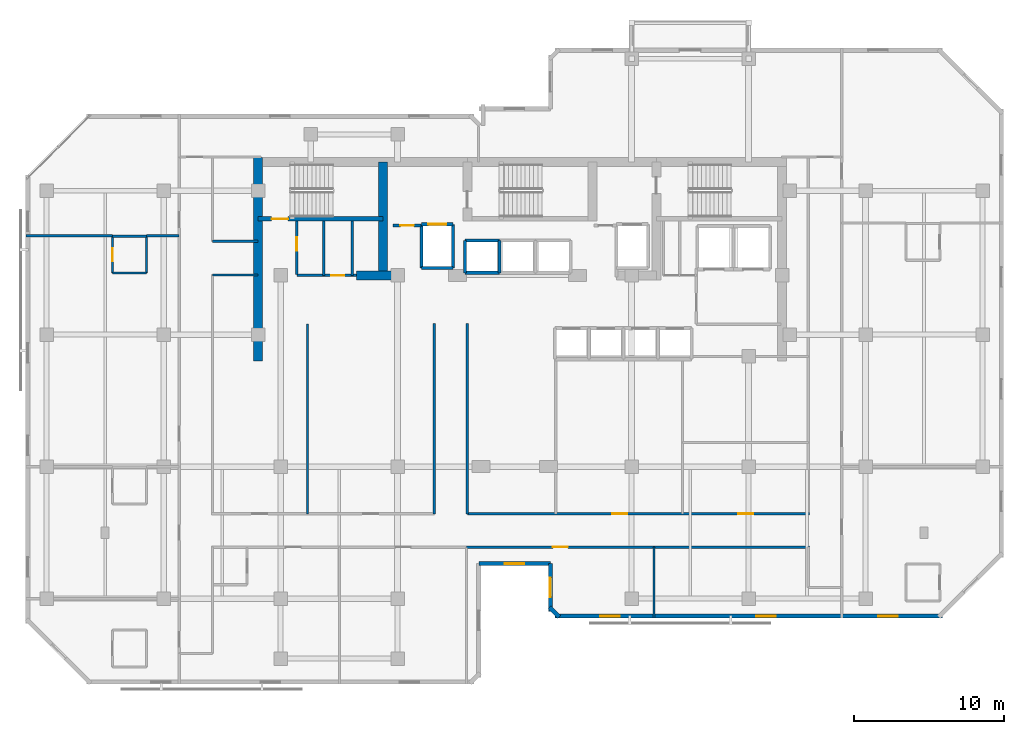
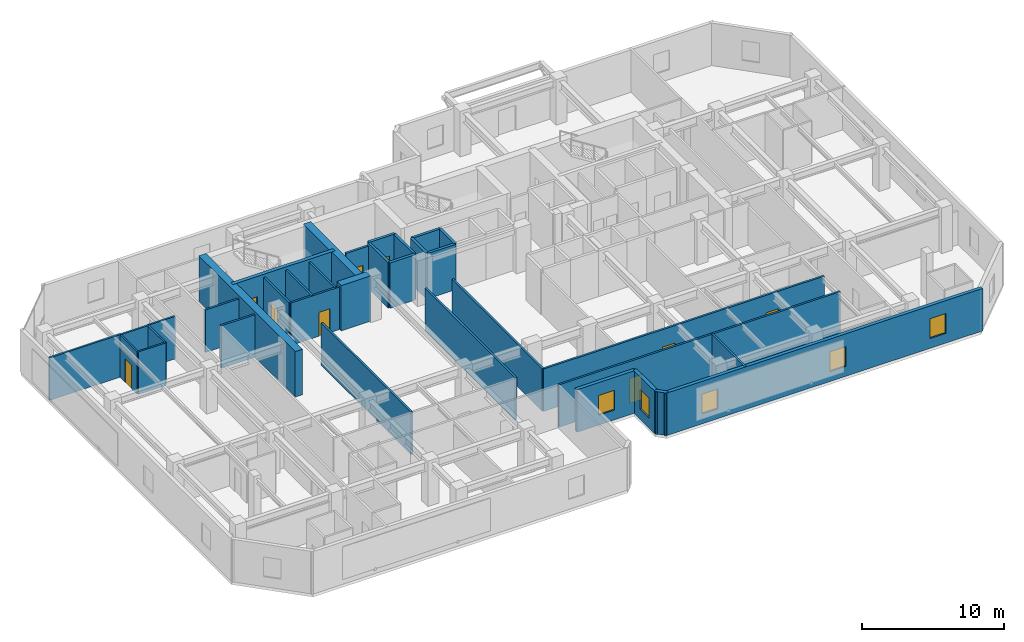
# One storey, part 5 of 10: 35 walls, 9 doors, 5 windows, 14 openings.
"""IFC4 building model written with IfcOpenShell, lengths in metres."""

from ifc_helpers import new_model, si_unit, direction, frame, frame_2d, origin, place, context, subcontext, project, spatial, rectangle, extrude, material, layer, layer_set, type_object, element, fill, save


model = new_model("IFC4")

# Units and contexts
model_context = context("Model", 3, precision=1e-05, world=origin(), true_north=direction((0.0, 1.0)))
body_context = subcontext(model_context, "Body", "Model", "MODEL_VIEW")
ifc_project = project(units=[si_unit("LENGTHUNIT", "METRE"), si_unit("AREAUNIT", "SQUARE_METRE"), si_unit("VOLUMEUNIT", "CUBIC_METRE"), si_unit("PLANEANGLEUNIT", "RADIAN"), si_unit("MASSUNIT", "GRAM", prefix="KILO")], contexts=[model_context])

# Site, building, storey
site_placement = place(None, origin())
site = spatial("IfcSite", under=ifc_project, at=site_placement, CompositionType="ELEMENT")
building_placement = place(site_placement, origin())
building = spatial("IfcBuilding", under=site, at=building_placement, Name="Kestravale Grand Hotel", CompositionType="ELEMENT")
storey_placement = place(building_placement, frame((0.0, 0.0, 220.199951171875)))
storey = spatial("IfcBuildingStorey", under=building, at=storey_placement, Name="L55", CompositionType="ELEMENT", Elevation=220.199951171875)

# Walls
ifc_material_1 = material(Name="Concrete f'c 50 MPa", Category="concrete")
ifc_layer_1 = layer(ifc_material_1, 0.60009765625)
ifc_layer_set_1 = layer_set([ifc_layer_1], Name="EW-CORE-600")
wall_type_1 = type_object("IfcWallType", Name="EW-CORE-600", PredefinedType="SHEAR", material=ifc_layer_set_1)
wall_1_placement = place(storey_placement, frame((21.89990234375, 27.050048828125, 0.0), z_axis=(0.0, 0.0, 1.0), x_axis=(0.0, 1.0, 0.0)))
element("IfcWall", 1, at=wall_1_placement, inside=storey, type_object=wall_type_1, Name="L55 core shear wall W1", PredefinedType="SHEAR", context=body_context, shape_type="SweptSolid", body=[
    extrude(rectangle(XDim=13.570068359375, YDim=0.60009765625, at=frame_2d((6.78515625, 0.0))), origin(), (0.0, 0.0, 1.0), 3.900146484375),
])
wall_2_placement = place(storey_placement, frame((28.449951171875, 32.75, 0.0), z_axis=(0.0, 0.0, 1.0), x_axis=(1.0, 0.0, 0.0)))
element("IfcWall", 2, at=wall_2_placement, inside=storey, type_object=wall_type_1, Name="L55 core shear wall S1", PredefinedType="SHEAR", context=body_context, shape_type="SweptSolid", body=[
    extrude(rectangle(XDim=2.400146484375, YDim=0.60009765625, at=frame_2d((1.2001953125, 0.0))), origin(), (0.0, 0.0, 1.0), 3.900146484375),
])
wall_3_placement = place(storey_placement, frame((30.219970703125, 33.050048828125, 0.0), z_axis=(0.0, 0.0, 1.0), x_axis=(0.0, 1.0, 0.0)))
element("IfcWall", 3, at=wall_3_placement, inside=storey, type_object=wall_type_1, Name="L55 core shear wall X1", PredefinedType="SHEAR", context=body_context, shape_type="SweptSolid", body=[
    extrude(rectangle(XDim=7.27001953125, YDim=0.60009765625, at=frame_2d((3.635009765625, 0.0))), origin(), (0.0, 0.0, 1.0), 3.900146484375),
])

# Wall, opening, window
ifc_material_2 = material(Name="Precast concrete f'c 45 MPa", Category="concrete")
ifc_layer_2 = layer(ifc_material_2, 0.280029296875)
ifc_layer_set_2 = layer_set([ifc_layer_2], Name="EW-PREC-280")
wall_type_2 = type_object("IfcWallType", Name="EW-PREC-280", PredefinedType="SOLIDWALL", material=ifc_layer_set_2)
wall_4_placement = place(storey_placement, frame((36.610107421875, 13.5400390625, 0.0), z_axis=(0.0, 0.0, 1.0), x_axis=(1.0, 0.0, 0.0)))
wall_4 = element("IfcWall", 4, at=wall_4_placement, inside=storey, type_object=wall_type_2, Name="L55 fluted precast facade wall 4", PredefinedType="SOLIDWALL", context=body_context, shape_type="SweptSolid", body=[
    extrude(rectangle(XDim=4.77978515625, YDim=0.280029296875, at=frame_2d((2.389892578125, 0.0))), origin(), (0.0, 0.0, 1.0), 3.650146484375),
])
opening_1_placement = place(wall_4_placement, frame((1.739990234375, 0.0, 0.85009765625)))
opening_1 = element("IfcOpeningElement", 5, at=opening_1_placement, cuts=wall_4, Name="Opening W-GUEST-1300", PredefinedType="OPENING", context=body_context, shape_type="SweptSolid", body=[
    extrude(rectangle(XDim=1.300048828125, YDim=1.699951171875, at=frame_2d((0.64990234375, 0.85009765625))), frame((0.0, 0.14990234375, 0.0), z_axis=(0.0, -1.0, 0.0), x_axis=(1.0, 0.0, 0.0)), (0.0, 0.0, 1.0), 0.300048828125),
])
ifc_material_3 = material(Name="Insulated low-E double glazing in aluminium frame", Category="aluminium")
window_type = type_object("IfcWindowType", Name="W-GUEST-1300", PartitioningType="SINGLE_PANEL", PredefinedType="WINDOW", material=ifc_material_3)
window_1_placement = place(opening_1_placement, origin())
window_1 = element("IfcWindow", 6, at=window_1_placement, inside=storey, type_object=window_type, Name="L55 exterior window 4.1", OverallHeight=1.699951171875, OverallWidth=1.300048828125, PartitioningType="SINGLE_PANEL", PredefinedType="WINDOW", context=body_context, shape_type="SweptSolid", body=[
    extrude(rectangle(XDim=1.300048828125, YDim=1.699951171875, at=frame_2d((0.64990234375, 0.85009765625))), frame((0.0, 0.030029296875, 0.0), z_axis=(0.0, -1.0, 0.0), x_axis=(1.0, 0.0, 0.0)), (0.0, 0.0, 1.0), 0.06005859375),
])
fill(opening_1, window_1)

wall_5_placement = place(storey_placement, frame((41.389892578125, 13.5400390625, 0.0), z_axis=(0.0, 0.0, 1.0), x_axis=(0.0, -1.0, 0.0)))
wall_5 = element("IfcWall", 7, at=wall_5_placement, inside=storey, type_object=wall_type_2, Name="L55 fluted precast facade wall 5", PredefinedType="SOLIDWALL", context=body_context, shape_type="SweptSolid", body=[
    extrude(rectangle(XDim=3.179931640625, YDim=0.280029296875, at=frame_2d((1.58984375, 0.0))), origin(), (0.0, 0.0, 1.0), 3.650146484375),
])
opening_2_placement = place(wall_5_placement, frame((0.93994140625, 0.0, 0.85009765625)))
opening_2 = element("IfcOpeningElement", 8, at=opening_2_placement, cuts=wall_5, Name="Opening W-GUEST-1300", PredefinedType="OPENING", context=body_context, shape_type="SweptSolid", body=[
    extrude(rectangle(XDim=1.300048828125, YDim=1.699951171875, at=frame_2d((0.64990234375, 0.85009765625))), frame((0.0, 0.14990234375, 0.0), z_axis=(0.0, -1.0, 0.0), x_axis=(1.0, 0.0, 0.0)), (0.0, 0.0, 1.0), 0.300048828125),
])
window_2_placement = place(opening_2_placement, origin())
window_2 = element("IfcWindow", 9, at=window_2_placement, inside=storey, type_object=window_type, Name="L55 exterior window 5.1", OverallHeight=1.699951171875, OverallWidth=1.300048828125, PartitioningType="SINGLE_PANEL", PredefinedType="WINDOW", context=body_context, shape_type="SweptSolid", body=[
    extrude(rectangle(XDim=1.300048828125, YDim=1.699951171875, at=frame_2d((0.64990234375, 0.85009765625))), frame((0.0, 0.030029296875, 0.0), z_axis=(0.0, -1.0, 0.0), x_axis=(1.0, 0.0, 0.0)), (0.0, 0.0, 1.0), 0.06005859375),
])
fill(opening_2, window_2)

# Wall
wall_6_placement = place(storey_placement, frame((41.32080078125, 10.627197265625, 0.0), z_axis=(0.0, 0.0, 1.0), x_axis=(0.707106781187, -0.707106781187, 0.0)))
element("IfcWall", 10, at=wall_6_placement, inside=storey, type_object=wall_type_2, Name="L55 fluted precast facade wall 6", PredefinedType="SOLIDWALL", context=body_context, shape_type="SweptSolid", body=[
    extrude(rectangle(XDim=0.928466796875, YDim=0.280029296875, at=frame_2d((0.46435546875, 0.0))), origin(), (0.0, 0.0, 1.0), 3.650146484375),
])

# Wall, openings, windows
wall_7_placement = place(storey_placement, frame((41.7099609375, 10.0400390625, 0.0), z_axis=(0.0, 0.0, 1.0), x_axis=(1.0, 0.0, 0.0)))
wall_7 = element("IfcWall", 11, at=wall_7_placement, inside=storey, type_object=wall_type_2, Name="L55 fluted precast facade wall 7", PredefinedType="SOLIDWALL", context=body_context, shape_type="SweptSolid", body=[
    extrude(rectangle(XDim=25.830078125, YDim=0.280029296875, at=frame_2d((12.9150390625, 0.0))), origin(), (0.0, 0.0, 1.0), 3.650146484375),
])
opening_3_placement = place(wall_7_placement, frame((3.0048828125, 0.0, 0.85009765625)))
opening_3 = element("IfcOpeningElement", 12, at=opening_3_placement, cuts=wall_7, Name="Opening W-GUEST-1300", PredefinedType="OPENING", context=body_context, shape_type="SweptSolid", body=[
    extrude(rectangle(XDim=1.300048828125, YDim=1.699951171875, at=frame_2d((0.64990234375, 0.85009765625))), frame((0.0, 0.14990234375, 0.0), z_axis=(0.0, -1.0, 0.0), x_axis=(1.0, 0.0, 0.0)), (0.0, 0.0, 1.0), 0.300048828125),
])
opening_4_placement = place(wall_7_placement, frame((13.4150390625, 0.0, 0.85009765625)))
opening_4 = element("IfcOpeningElement", 13, at=opening_4_placement, cuts=wall_7, Name="Opening W-GUEST-1300", PredefinedType="OPENING", context=body_context, shape_type="SweptSolid", body=[
    extrude(rectangle(XDim=1.300048828125, YDim=1.699951171875, at=frame_2d((0.64990234375, 0.85009765625))), frame((0.0, 0.14990234375, 0.0), z_axis=(0.0, -1.0, 0.0), x_axis=(1.0, 0.0, 0.0)), (0.0, 0.0, 1.0), 0.300048828125),
])
opening_5_placement = place(wall_7_placement, frame((21.52490234375, 0.0, 0.85009765625)))
opening_5 = element("IfcOpeningElement", 14, at=opening_5_placement, cuts=wall_7, Name="Opening W-GUEST-1300", PredefinedType="OPENING", context=body_context, shape_type="SweptSolid", body=[
    extrude(rectangle(XDim=1.300048828125, YDim=1.699951171875, at=frame_2d((0.64990234375, 0.85009765625))), frame((0.0, 0.14990234375, 0.0), z_axis=(0.0, -1.0, 0.0), x_axis=(1.0, 0.0, 0.0)), (0.0, 0.0, 1.0), 0.300048828125),
])
window_3_placement = place(opening_3_placement, origin())
window_3 = element("IfcWindow", 15, at=window_3_placement, inside=storey, type_object=window_type, Name="L55 exterior window 7.1", OverallHeight=1.699951171875, OverallWidth=1.300048828125, PartitioningType="SINGLE_PANEL", PredefinedType="WINDOW", context=body_context, shape_type="SweptSolid", body=[
    extrude(rectangle(XDim=1.300048828125, YDim=1.699951171875, at=frame_2d((0.64990234375, 0.85009765625))), frame((0.0, 0.030029296875, 0.0), z_axis=(0.0, -1.0, 0.0), x_axis=(1.0, 0.0, 0.0)), (0.0, 0.0, 1.0), 0.06005859375),
])
fill(opening_3, window_3)
window_4_placement = place(opening_4_placement, origin())
window_4 = element("IfcWindow", 16, at=window_4_placement, inside=storey, type_object=window_type, Name="L55 exterior window 7.2", OverallHeight=1.699951171875, OverallWidth=1.300048828125, PartitioningType="SINGLE_PANEL", PredefinedType="WINDOW", context=body_context, shape_type="SweptSolid", body=[
    extrude(rectangle(XDim=1.300048828125, YDim=1.699951171875, at=frame_2d((0.64990234375, 0.85009765625))), frame((0.0, 0.030029296875, 0.0), z_axis=(0.0, -1.0, 0.0), x_axis=(1.0, 0.0, 0.0)), (0.0, 0.0, 1.0), 0.06005859375),
])
fill(opening_4, window_4)
window_5_placement = place(opening_5_placement, origin())
window_5 = element("IfcWindow", 17, at=window_5_placement, inside=storey, type_object=window_type, Name="L55 exterior window 7.3", OverallHeight=1.699951171875, OverallWidth=1.300048828125, PartitioningType="SINGLE_PANEL", PredefinedType="WINDOW", context=body_context, shape_type="SweptSolid", body=[
    extrude(rectangle(XDim=1.300048828125, YDim=1.699951171875, at=frame_2d((0.64990234375, 0.85009765625))), frame((0.0, 0.030029296875, 0.0), z_axis=(0.0, -1.0, 0.0), x_axis=(1.0, 0.0, 0.0)), (0.0, 0.0, 1.0), 0.06005859375),
])
fill(opening_5, window_5)

# Wall, opening, door
ifc_material_4 = material(Name="Concrete f'c 45 MPa", Category="concrete")
ifc_layer_3 = layer(ifc_material_4, 0.300048828125)
ifc_layer_set_3 = layer_set([ifc_layer_3], Name="EW-STAIR-300")
wall_type_3 = type_object("IfcWallType", Name="EW-STAIR-300", PredefinedType="SHEAR", material=ifc_layer_set_3)
wall_8_placement = place(storey_placement, frame((21.89990234375, 36.52001953125, 0.0), z_axis=(0.0, 0.0, 1.0), x_axis=(1.0, 0.0, 0.0)))
wall_8 = element("IfcWall", 18, at=wall_8_placement, inside=storey, type_object=wall_type_3, Name="L55 stair enclosure shear wall SST1", PredefinedType="SHEAR", context=body_context, shape_type="SweptSolid", body=[
    extrude(rectangle(XDim=8.320068359375, YDim=0.300048828125, at=frame_2d((4.16015625, 0.0))), origin(), (0.0, 0.0, 1.0), 3.900146484375),
])
opening_6_placement = place(wall_8_placement, frame((0.89990234375, 0.0, 0.0)))
opening_6 = element("IfcOpeningElement", 19, at=opening_6_placement, cuts=wall_8, Name="Opening D-ST-1100", PredefinedType="OPENING", context=body_context, shape_type="SweptSolid", body=[
    extrude(rectangle(XDim=1.10009765625, YDim=2.14990234375, at=frame_2d((0.550048828125, 1.074951171875))), frame((0.0, 0.159912109375, 0.0), z_axis=(0.0, -1.0, 0.0), x_axis=(1.0, 0.0, 0.0)), (0.0, 0.0, 1.0), 0.320068359375),
])
ifc_material_5 = material(Name="Galvanised 90-minute fire-rated steel stair door", Category="steel")
door_type_1 = type_object("IfcDoorType", Name="D-ST-1100", OperationType="NOTDEFINED", PredefinedType="DOOR", material=ifc_material_5)
door_1_placement = place(opening_6_placement, origin())
door_1 = element("IfcDoor", 20, at=door_1_placement, inside=storey, type_object=door_type_1, Name="L55 Stair ST-1 fire door", OperationType="SINGLE_SWING_RIGHT", OverallHeight=2.14990234375, OverallWidth=1.10009765625, PredefinedType="DOOR", context=body_context, shape_type="SweptSolid", body=[
    extrude(rectangle(XDim=1.10009765625, YDim=2.14990234375, at=frame_2d((0.550048828125, 1.074951171875))), frame((0.0, 0.02490234375, 0.0), z_axis=(0.0, -1.0, 0.0), x_axis=(1.0, 0.0, 0.0)), (0.0, 0.0, 1.0), 0.050048828125),
])
fill(opening_6, door_1)

ifc_material_6 = material(Name="Acoustic fire-rated gypsum board partition", Category="other")
ifc_layer_4 = layer(ifc_material_6, 0.159912109375)
ifc_layer_set_4 = layer_set([ifc_layer_4], Name="IW-CORR-160")
wall_type_4 = type_object("IfcWallType", Name="IW-CORR-160", PredefinedType="PARTITIONING", material=ifc_layer_set_4)
wall_9_placement = place(storey_placement, frame((24.47998046875, 32.800048828125, 0.0), z_axis=(0.0, 0.0, 1.0), x_axis=(0.0, 1.0, 0.0)))
wall_9 = element("IfcWall", 21, at=wall_9_placement, inside=storey, type_object=wall_type_4, Name="L55 west core vestibule wall", PredefinedType="PARTITIONING", context=body_context, shape_type="SweptSolid", body=[
    extrude(rectangle(XDim=3.570068359375, YDim=0.159912109375, at=frame_2d((1.78515625, 0.0))), origin(), (0.0, 0.0, 1.0), 3.650146484375),
])
opening_7_placement = place(wall_9_placement, frame((1.603515625, 0.0, 0.0)))
opening_7 = element("IfcOpeningElement", 22, at=opening_7_placement, cuts=wall_9, Name="Opening D-SH-900", PredefinedType="OPENING", context=body_context, shape_type="SweptSolid", body=[
    extrude(rectangle(XDim=0.89990234375, YDim=2.10009765625, at=frame_2d((0.449951171875, 1.050048828125))), frame((0.0, 0.08984375, 0.0), z_axis=(0.0, -1.0, 0.0), x_axis=(1.0, 0.0, 0.0)), (0.0, 0.0, 1.0), 0.179931640625),
])
ifc_material_7 = material(Name="Galvanised 90-minute shaft and service fire door", Category="steel")
door_type_2 = type_object("IfcDoorType", Name="D-SH-900", OperationType="NOTDEFINED", PredefinedType="DOOR", material=ifc_material_7)
door_2_placement = place(opening_7_placement, origin())
door_2 = element("IfcDoor", 23, at=door_2_placement, inside=storey, type_object=door_type_2, Name="D-L55-HK", OperationType="SINGLE_SWING_RIGHT", OverallHeight=2.10009765625, OverallWidth=0.89990234375, PredefinedType="DOOR", context=body_context, shape_type="SweptSolid", body=[
    extrude(rectangle(XDim=0.89990234375, YDim=2.10009765625, at=frame_2d((0.449951171875, 1.050048828125))), frame((0.0, 0.02490234375, 0.0), z_axis=(0.0, -1.0, 0.0), x_axis=(1.0, 0.0, 0.0)), (0.0, 0.0, 1.0), 0.050048828125),
])
fill(opening_7, door_2)

wall_10_placement = place(storey_placement, frame((24.47998046875, 32.75, 0.0), z_axis=(0.0, 0.0, 1.0), x_axis=(1.0, 0.0, 0.0)))
wall_10 = element("IfcWall", 24, at=wall_10_placement, inside=storey, type_object=wall_type_4, Name="W-L55-CWS", PredefinedType="PARTITIONING", context=body_context, shape_type="SweptSolid", body=[
    extrude(rectangle(XDim=3.969970703125, YDim=0.159912109375, at=frame_2d((1.98486328125, 0.0))), origin(), (0.0, 0.0, 1.0), 3.650146484375),
])
opening_8_placement = place(wall_10_placement, frame((2.31005859375, 0.0, 0.0)))
opening_8 = element("IfcOpeningElement", 25, at=opening_8_placement, cuts=wall_10, Name="Opening D-SH-860", PredefinedType="OPENING", context=body_context, shape_type="SweptSolid", body=[
    extrude(rectangle(XDim=0.860107421875, YDim=2.050048828125, at=frame_2d((0.43017578125, 1.02490234375))), frame((0.0, 0.08984375, 0.0), z_axis=(0.0, -1.0, 0.0), x_axis=(1.0, 0.0, 0.0)), (0.0, 0.0, 1.0), 0.179931640625),
])
ifc_material_8 = material(Name="Galvanised 90-minute riser fire door", Category="steel")
door_type_3 = type_object("IfcDoorType", Name="D-SH-860", OperationType="NOTDEFINED", PredefinedType="DOOR", material=ifc_material_8)
door_3_placement = place(opening_8_placement, origin())
door_3 = element("IfcDoor", 26, at=door_3_placement, inside=storey, type_object=door_type_3, Name="D-L55-IDF", OperationType="SINGLE_SWING_RIGHT", OverallHeight=2.050048828125, OverallWidth=0.860107421875, PredefinedType="DOOR", context=body_context, shape_type="SweptSolid", body=[
    extrude(rectangle(XDim=0.860107421875, YDim=2.050048828125, at=frame_2d((0.43017578125, 1.02490234375))), frame((0.0, 0.02490234375, 0.0), z_axis=(0.0, -1.0, 0.0), x_axis=(1.0, 0.0, 0.0)), (0.0, 0.0, 1.0), 0.050048828125),
])
fill(opening_8, door_3)

# Wall, openings, doors
wall_11_placement = place(storey_placement, frame((35.85009765625, 16.860107421875, 0.0), z_axis=(0.0, 0.0, 1.0), x_axis=(1.0, 0.0, 0.0)))
wall_11 = element("IfcWall", 27, at=wall_11_placement, inside=storey, type_object=wall_type_4, Name="W-L55-CE-N", PredefinedType="PARTITIONING", context=body_context, shape_type="SweptSolid", body=[
    extrude(rectangle(XDim=22.7998046875, YDim=0.159912109375, at=frame_2d((11.39990234375, 0.0))), origin(), (0.0, 0.0, 1.0), 3.650146484375),
])
opening_9_placement = place(wall_11_placement, frame((9.64990234375, 0.0, 0.0)))
opening_9 = element("IfcOpeningElement", 28, at=opening_9_placement, cuts=wall_11, Name="Opening D-GUEST-1000", PredefinedType="OPENING", context=body_context, shape_type="SweptSolid", body=[
    extrude(rectangle(XDim=1.0, YDim=2.14990234375, at=frame_2d((0.5, 1.074951171875))), frame((0.0, 0.08984375, 0.0), z_axis=(0.0, -1.0, 0.0), x_axis=(1.0, 0.0, 0.0)), (0.0, 0.0, 1.0), 0.179931640625),
])
opening_10_placement = place(wall_11_placement, frame((18.050048828125, 0.0, 0.0)))
opening_10 = element("IfcOpeningElement", 29, at=opening_10_placement, cuts=wall_11, Name="Opening D-GUEST-1000", PredefinedType="OPENING", context=body_context, shape_type="SweptSolid", body=[
    extrude(rectangle(XDim=1.0, YDim=2.14990234375, at=frame_2d((0.5, 1.074951171875))), frame((0.0, 0.08984375, 0.0), z_axis=(0.0, -1.0, 0.0), x_axis=(1.0, 0.0, 0.0)), (0.0, 0.0, 1.0), 0.179931640625),
])
ifc_material_9 = material(Name="Accessible walnut veneer hotel entrance fire door", Category="wood")
door_type_4 = type_object("IfcDoorType", Name="D-GUEST-1000", OperationType="NOTDEFINED", PredefinedType="DOOR", material=ifc_material_9)
door_4_placement = place(opening_9_placement, origin())
door_4 = element("IfcDoor", 30, at=door_4_placement, inside=storey, type_object=door_type_4, Name="D-L55-RECL-E1", OperationType="SINGLE_SWING_LEFT", OverallHeight=2.14990234375, OverallWidth=1.0, PredefinedType="DOOR", context=body_context, shape_type="SweptSolid", body=[
    extrude(rectangle(XDim=1.0, YDim=2.14990234375, at=frame_2d((0.5, 1.074951171875))), frame((0.0, 0.02490234375, 0.0), z_axis=(0.0, -1.0, 0.0), x_axis=(1.0, 0.0, 0.0)), (0.0, 0.0, 1.0), 0.050048828125),
])
fill(opening_9, door_4)
door_5_placement = place(opening_10_placement, origin())
door_5 = element("IfcDoor", 31, at=door_5_placement, inside=storey, type_object=door_type_4, Name="D-L55-RECL-E2", OperationType="SINGLE_SWING_RIGHT", OverallHeight=2.14990234375, OverallWidth=1.0, PredefinedType="DOOR", context=body_context, shape_type="SweptSolid", body=[
    extrude(rectangle(XDim=1.0, YDim=2.14990234375, at=frame_2d((0.5, 1.074951171875))), frame((0.0, 0.02490234375, 0.0), z_axis=(0.0, -1.0, 0.0), x_axis=(1.0, 0.0, 0.0)), (0.0, 0.0, 1.0), 0.050048828125),
])
fill(opening_10, door_5)

# Walls
for number, where, z_axis, x_axis, name in (
    (32, (33.64990234375, 16.860107421875, 0.0), (0.0, 0.0, 1.0), (0.0, 1.0, 0.0), "W-L55-TRUNK-W"),
    (33, (35.85009765625, 16.860107421875, 0.0), (0.0, 0.0, 1.0), (0.0, 1.0, 0.0), "W-L55-TRUNK-E"),
):
    element("IfcWall", number, at=place(storey_placement, frame(where, z_axis=z_axis, x_axis=x_axis)), inside=storey, type_object=wall_type_4, Name=name, PredefinedType="PARTITIONING", context=body_context, shape_type="SweptSolid", body=[
        extrude(rectangle(XDim=12.68994140625, YDim=0.159912109375, at=frame_2d((6.344970703125, 0.0))), origin(), (0.0, 0.0, 1.0), 3.650146484375),
    ])

# Wall, opening, door
wall_12_placement = place(storey_placement, frame((35.800048828125, 14.639892578125, 0.0), z_axis=(0.0, 0.0, 1.0), x_axis=(1.0, 0.0, 0.0)))
wall_12 = element("IfcWall", 34, at=wall_12_placement, inside=storey, type_object=wall_type_4, Name="W-L55-CE-S", PredefinedType="PARTITIONING", context=body_context, shape_type="SweptSolid", body=[
    extrude(rectangle(XDim=22.849853515625, YDim=0.159912109375, at=frame_2d((11.4248046875, 0.0))), origin(), (0.0, 0.0, 1.0), 3.650146484375),
])
opening_11_placement = place(wall_12_placement, frame((5.74755859375, 0.0, 0.0)))
opening_11 = element("IfcOpeningElement", 35, at=opening_11_placement, cuts=wall_12, Name="Opening D-GUEST-1000", PredefinedType="OPENING", context=body_context, shape_type="SweptSolid", body=[
    extrude(rectangle(XDim=1.0, YDim=2.14990234375, at=frame_2d((0.5, 1.074951171875))), frame((0.0, 0.08984375, 0.0), z_axis=(0.0, -1.0, 0.0), x_axis=(1.0, 0.0, 0.0)), (0.0, 0.0, 1.0), 0.179931640625),
])
door_6_placement = place(opening_11_placement, origin())
door_6 = element("IfcDoor", 36, at=door_6_placement, inside=storey, type_object=door_type_4, Name="D-L55-AME", OperationType="SINGLE_SWING_RIGHT", OverallHeight=2.14990234375, OverallWidth=1.0, PredefinedType="DOOR", context=body_context, shape_type="SweptSolid", body=[
    extrude(rectangle(XDim=1.0, YDim=2.14990234375, at=frame_2d((0.5, 1.074951171875))), frame((0.0, 0.02490234375, 0.0), z_axis=(0.0, -1.0, 0.0), x_axis=(1.0, 0.0, 0.0)), (0.0, 0.0, 1.0), 0.050048828125),
])
fill(opening_11, door_6)

# Walls
for number, where, z_axis, x_axis, name in (
    (37, (18.860107421875, 35.02001953125, 0.0), (0.0, 0.0, 1.0), (1.0, 0.0, 0.0), "W-L55-SW-CN"),
    (38, (18.860107421875, 32.780029296875, 0.0), (0.0, 0.0, 1.0), (1.0, 0.0, 0.0), "W-L55-SW-CS"),
):
    element("IfcWall", number, at=place(storey_placement, frame(where, z_axis=z_axis, x_axis=x_axis)), inside=storey, type_object=wall_type_4, Name=name, PredefinedType="PARTITIONING", context=body_context, shape_type="SweptSolid", body=[
        extrude(rectangle(XDim=3.039794921875, YDim=0.159912109375, at=frame_2d((1.52001953125, 0.0))), origin(), (0.0, 0.0, 1.0), 3.650146484375),
    ])

# Wall, opening, door
ifc_material_10 = material(Name="Fire-rated gypsum board on steel studs with mineral wool", Category="steel")
ifc_layer_5 = layer(ifc_material_10, 0.179931640625)
ifc_layer_set_5 = layer_set([ifc_layer_5], Name="IW-FSAE-180")
wall_type_5 = type_object("IfcWallType", Name="IW-FSAE-180", PredefinedType="PARTITIONING", material=ifc_layer_set_5)
wall_13_placement = place(storey_placement, frame((30.89990234375, 36.080078125, 0.0), z_axis=(0.0, 0.0, 1.0), x_axis=(1.0, 0.0, 0.0)))
wall_13 = element("IfcWall", 39, at=wall_13_placement, inside=storey, type_object=wall_type_5, Name="L55 FSAE Lobby 1 smoke barrier", PredefinedType="PARTITIONING", context=body_context, shape_type="SweptSolid", body=[
    extrude(rectangle(XDim=1.85009765625, YDim=0.179931640625, at=frame_2d((0.925048828125, 0.0))), origin(), (0.0, 0.0, 1.0), 3.650146484375),
])
opening_12_placement = place(wall_13_placement, frame((0.47998046875, 0.0, 0.0)))
opening_12 = element("IfcOpeningElement", 40, at=opening_12_placement, cuts=wall_13, Name="Opening D-FSAE-1000", PredefinedType="OPENING", context=body_context, shape_type="SweptSolid", body=[
    extrude(rectangle(XDim=0.89990234375, YDim=2.14990234375, at=frame_2d((0.449951171875, 1.074951171875))), frame((0.0, 0.099853515625, 0.0), z_axis=(0.0, -1.0, 0.0), x_axis=(1.0, 0.0, 0.0)), (0.0, 0.0, 1.0), 0.199951171875),
])
ifc_material_11 = material(Name="Smoke-gasketed FSAE lobby fire door", Category="steel")
door_type_5 = type_object("IfcDoorType", Name="D-FSAE-1000", OperationType="NOTDEFINED", PredefinedType="DOOR", material=ifc_material_11)
door_7_placement = place(opening_12_placement, origin())
door_7 = element("IfcDoor", 41, at=door_7_placement, inside=storey, type_object=door_type_5, Name="L55 FSAE Lobby 1 fire door", OperationType="SINGLE_SWING_RIGHT", OverallHeight=2.14990234375, OverallWidth=0.89990234375, PredefinedType="DOOR", context=body_context, shape_type="SweptSolid", body=[
    extrude(rectangle(XDim=0.89990234375, YDim=2.14990234375, at=frame_2d((0.449951171875, 1.074951171875))), frame((0.0, 0.02490234375, 0.0), z_axis=(0.0, -1.0, 0.0), x_axis=(1.0, 0.0, 0.0)), (0.0, 0.0, 1.0), 0.050048828125),
])
fill(opening_12, door_7)

ifc_material_12 = material(Name="Moisture-resistant tile-backer plumbing chase wall", Category="other")
ifc_layer_6 = layer(ifc_material_12, 0.139892578125)
ifc_layer_set_6 = layer_set([ifc_layer_6], Name="IW-PLB-140")
wall_type_6 = type_object("IfcWallType", Name="IW-PLB-140", PredefinedType="PLUMBINGWALL", material=ifc_layer_set_6)
wall_14_placement = place(storey_placement, frame((12.199951171875, 32.909912109375, 0.0), z_axis=(0.0, 0.0, 1.0), x_axis=(0.0, 1.0, 0.0)))
wall_14 = element("IfcWall", 42, at=wall_14_placement, inside=storey, type_object=wall_type_6, Name="W-L55-U04-BW", PredefinedType="PLUMBINGWALL", context=body_context, shape_type="SweptSolid", body=[
    extrude(rectangle(XDim=2.4501953125, YDim=0.139892578125, at=frame_2d((1.22509765625, 0.0))), origin(), (0.0, 0.0, 1.0), 3.650146484375),
])
opening_13_placement = place(wall_14_placement, frame((0.784912109375, 0.0, 0.0)))
opening_13 = element("IfcOpeningElement", 43, at=opening_13_placement, cuts=wall_14, Name="Opening D-BATH-880", PredefinedType="OPENING", context=body_context, shape_type="SweptSolid", body=[
    extrude(rectangle(XDim=0.8798828125, YDim=2.050048828125, at=frame_2d((0.43994140625, 1.02490234375))), frame((0.0, 0.079833984375, 0.0), z_axis=(0.0, -1.0, 0.0), x_axis=(1.0, 0.0, 0.0)), (0.0, 0.0, 1.0), 0.159912109375),
])
ifc_material_13 = material(Name="Moisture-sealed walnut en-suite bathroom door", Category="wood")
door_type_6 = type_object("IfcDoorType", Name="D-BATH-880", OperationType="NOTDEFINED", PredefinedType="DOOR", material=ifc_material_13)
door_8_placement = place(opening_13_placement, origin())
door_8 = element("IfcDoor", 44, at=door_8_placement, inside=storey, type_object=door_type_6, Name="D-L55-U04-BATH", OperationType="SINGLE_SWING_LEFT", OverallHeight=2.050048828125, OverallWidth=0.8798828125, PredefinedType="DOOR", context=body_context, shape_type="SweptSolid", body=[
    extrude(rectangle(XDim=0.8798828125, YDim=2.050048828125, at=frame_2d((0.43994140625, 1.02490234375))), frame((0.0, 0.02490234375, 0.0), z_axis=(0.0, -1.0, 0.0), x_axis=(1.0, 0.0, 0.0)), (0.0, 0.0, 1.0), 0.050048828125),
])
fill(opening_13, door_8)

# Walls
wall_15_placement = place(storey_placement, frame((14.449951171875, 32.909912109375, 0.0), z_axis=(0.0, 0.0, 1.0), x_axis=(0.0, 1.0, 0.0)))
element("IfcWall", 45, at=wall_15_placement, inside=storey, type_object=wall_type_6, Name="W-L55-U04-BE", PredefinedType="PLUMBINGWALL", context=body_context, shape_type="SweptSolid", body=[
    extrude(rectangle(XDim=2.4501953125, YDim=0.139892578125, at=frame_2d((1.22509765625, 0.0))), origin(), (0.0, 0.0, 1.0), 3.650146484375),
])
for number, where, z_axis, x_axis, name in (
    (46, (12.199951171875, 32.909912109375, 0.0), (0.0, 0.0, 1.0), (1.0, 0.0, 0.0), "W-L55-U04-BS"),
    (47, (12.199951171875, 35.360107421875, 0.0), (0.0, 0.0, 1.0), (1.0, 0.0, 0.0), "W-L55-U04-BN"),
):
    element("IfcWall", number, at=place(storey_placement, frame(where, z_axis=z_axis, x_axis=x_axis)), inside=storey, type_object=wall_type_6, Name=name, PredefinedType="PLUMBINGWALL", context=body_context, shape_type="SweptSolid", body=[
        extrude(rectangle(XDim=2.25, YDim=0.139892578125, at=frame_2d((1.125, 0.0))), origin(), (0.0, 0.0, 1.0), 3.650146484375),
    ])
ifc_material_14 = material(Name="Concrete f'c 45 MPa", Category="concrete")
ifc_layer_7 = layer(ifc_material_14, 0.199951171875)
ifc_layer_set_7 = layer_set([ifc_layer_7], Name="IW-SHAFT-200")
wall_type_7 = type_object("IfcWallType", Name="IW-SHAFT-200", PredefinedType="SHEAR", material=ifc_layer_set_7)
for number, where, z_axis, x_axis, name in (
    (48, (35.679931640625, 32.919921875, 0.0), (0.0, 0.0, 1.0), (0.0, 1.0, 0.0), "L55 PL-X1 west shaft wall"),
    (49, (38.0, 32.919921875, 0.0), (0.0, 0.0, 1.0), (0.0, 1.0, 0.0), "L55 PL-X2 west shaft wall"),
):
    element("IfcWall", number, at=place(storey_placement, frame(where, z_axis=z_axis, x_axis=x_axis)), inside=storey, type_object=wall_type_7, Name=name, PredefinedType="SHEAR", context=body_context, shape_type="SweptSolid", body=[
        extrude(rectangle(XDim=2.16015625, YDim=0.199951171875, at=frame_2d((1.080078125, 0.0))), origin(), (0.0, 0.0, 1.0), 3.900146484375),
    ])
for number, where, z_axis, x_axis, name in (
    (50, (32.804931640625, 33.2451171875, 0.0), (0.0, 0.0, 1.0), (0.0, 1.0, 0.0), "L55 FL-1 west shaft wall"),
    (51, (34.89501953125, 33.2451171875, 0.0), (0.0, 0.0, 1.0), (0.0, 1.0, 0.0), "L55 FL-1 east shaft wall"),
):
    element("IfcWall", number, at=place(storey_placement, frame(where, z_axis=z_axis, x_axis=x_axis)), inside=storey, type_object=wall_type_7, Name=name, PredefinedType="SHEAR", context=body_context, shape_type="SweptSolid", body=[
        extrude(rectangle(XDim=2.909912109375, YDim=0.199951171875, at=frame_2d((1.455078125, 0.0))), origin(), (0.0, 0.0, 1.0), 3.900146484375),
    ])
ifc_material_15 = material(Name="Concrete f'c 45 MPa", Category="concrete")
ifc_layer_8 = layer(ifc_material_15, 0.219970703125)
ifc_layer_set_8 = layer_set([ifc_layer_8], Name="IW-SHAFT-220")
wall_type_8 = type_object("IfcWallType", Name="IW-SHAFT-220", PredefinedType="SHEAR", material=ifc_layer_set_8)
for number, where, z_axis, x_axis, name in (
    (52, (35.679931640625, 35.080078125, 0.0), (0.0, 0.0, 1.0), (1.0, 0.0, 0.0), "L55 PL-X1 north shaft wall"),
    (53, (35.679931640625, 32.919921875, 0.0), (0.0, 0.0, 1.0), (1.0, 0.0, 0.0), "L55 PL-X1 south shaft wall"),
):
    element("IfcWall", number, at=place(storey_placement, frame(where, z_axis=z_axis, x_axis=x_axis)), inside=storey, type_object=wall_type_8, Name=name, PredefinedType="SHEAR", context=body_context, shape_type="SweptSolid", body=[
        extrude(rectangle(XDim=2.320068359375, YDim=0.219970703125, at=frame_2d((1.16015625, 0.0))), origin(), (0.0, 0.0, 1.0), 3.900146484375),
    ])

# Wall, opening, door
wall_16_placement = place(storey_placement, frame((32.804931640625, 36.155029296875, 0.0), z_axis=(0.0, 0.0, 1.0), x_axis=(1.0, 0.0, 0.0)))
wall_16 = element("IfcWall", 54, at=wall_16_placement, inside=storey, type_object=wall_type_8, Name="L55 FL-1 north shaft wall", PredefinedType="SHEAR", context=body_context, shape_type="SweptSolid", body=[
    extrude(rectangle(XDim=2.090087890625, YDim=0.219970703125, at=frame_2d((1.044921875, 0.0))), origin(), (0.0, 0.0, 1.0), 3.900146484375),
])
opening_14_placement = place(wall_16_placement, frame((0.445068359375, 0.0, 0.0)))
opening_14 = element("IfcOpeningElement", 55, at=opening_14_placement, cuts=wall_16, Name="Opening LD-FSAE-1200", PredefinedType="OPENING", context=body_context, shape_type="SweptSolid", body=[
    extrude(rectangle(XDim=1.199951171875, YDim=2.14990234375, at=frame_2d((0.60009765625, 1.074951171875))), frame((0.0, 0.119873046875, 0.0), z_axis=(0.0, -1.0, 0.0), x_axis=(1.0, 0.0, 0.0)), (0.0, 0.0, 1.0), 0.239990234375),
])
ifc_material_16 = material(Name="Stainless fire-service sliding elevator landing door", Category="steel")
door_type_7 = type_object("IfcDoorType", Name="LD-FSAE-1200", OperationType="NOTDEFINED", PredefinedType="DOOR", material=ifc_material_16)
door_9_placement = place(opening_14_placement, origin())
door_9 = element("IfcDoor", 56, at=door_9_placement, inside=storey, type_object=door_type_7, Name="L55 FL-1 elevator landing sliding door", OperationType="DOUBLE_DOOR_SLIDING", OverallHeight=2.14990234375, OverallWidth=1.199951171875, PredefinedType="DOOR", context=body_context, shape_type="SweptSolid", body=[
    extrude(rectangle(XDim=1.199951171875, YDim=2.14990234375, at=frame_2d((0.60009765625, 1.074951171875))), frame((0.0, 0.02490234375, 0.0), z_axis=(0.0, -1.0, 0.0), x_axis=(1.0, 0.0, 0.0)), (0.0, 0.0, 1.0), 0.050048828125),
])
fill(opening_14, door_9)

# Walls
wall_17_placement = place(storey_placement, frame((32.804931640625, 33.2451171875, 0.0), z_axis=(0.0, 0.0, 1.0), x_axis=(1.0, 0.0, 0.0)))
element("IfcWall", 57, at=wall_17_placement, inside=storey, type_object=wall_type_8, Name="L55 FL-1 south shaft wall", PredefinedType="SHEAR", context=body_context, shape_type="SweptSolid", body=[
    extrude(rectangle(XDim=2.090087890625, YDim=0.219970703125, at=frame_2d((1.044921875, 0.0))), origin(), (0.0, 0.0, 1.0), 3.900146484375),
])
ifc_material_17 = material(Name="Double-stud STC 52 acoustic demising partition", Category="other")
ifc_layer_9 = layer(ifc_material_17, 0.14990234375)
ifc_layer_set_9 = layer_set([ifc_layer_9], Name="IW-UNIT-150")
wall_type_9 = type_object("IfcWallType", Name="IW-UNIT-150", PredefinedType="PARTITIONING", material=ifc_layer_set_9)
for number, where, z_axis, x_axis, name in (
    (58, (26.280029296875, 32.75, 0.0), (0.0, 0.0, 1.0), (0.0, 1.0, 0.0), "W-L55-CC1-1"),
    (59, (28.179931640625, 32.75, 0.0), (0.0, 0.0, 1.0), (0.0, 1.0, 0.0), "W-L55-CC1-2"),
):
    element("IfcWall", number, at=place(storey_placement, frame(where, z_axis=z_axis, x_axis=x_axis)), inside=storey, type_object=wall_type_9, Name=name, PredefinedType="PARTITIONING", context=body_context, shape_type="SweptSolid", body=[
        extrude(rectangle(XDim=3.6201171875, YDim=0.14990234375, at=frame_2d((1.81005859375, 0.0))), origin(), (0.0, 0.0, 1.0), 3.650146484375),
    ])
wall_18_placement = place(storey_placement, frame((25.199951171875, 16.860107421875, 0.0), z_axis=(0.0, 0.0, 1.0), x_axis=(0.0, 1.0, 0.0)))
element("IfcWall", 60, at=wall_18_placement, inside=storey, type_object=wall_type_9, Name="W-L55-RCLW-M", PredefinedType="PARTITIONING", context=body_context, shape_type="SweptSolid", body=[
    extrude(rectangle(XDim=12.639892578125, YDim=0.14990234375, at=frame_2d((6.31982421875, 0.0))), origin(), (0.0, 0.0, 1.0), 3.650146484375),
])
wall_19_placement = place(storey_placement, frame((48.294921875, 9.919921875, 0.0), z_axis=(0.0, 0.0, 1.0), x_axis=(0.0, 1.0, 0.0)))
element("IfcWall", 61, at=wall_19_placement, inside=storey, type_object=wall_type_9, Name="W-L55-ES-1", PredefinedType="PARTITIONING", context=body_context, shape_type="SweptSolid", body=[
    extrude(rectangle(XDim=4.719970703125, YDim=0.14990234375, at=frame_2d((2.35986328125, 0.0))), origin(), (0.0, 0.0, 1.0), 3.650146484375),
])
wall_20_placement = place(storey_placement, frame((6.419921875, 35.39990234375, 0.0), z_axis=(0.0, 0.0, 1.0), x_axis=(1.0, 0.0, 0.0)))
element("IfcWall", 62, at=wall_20_placement, inside=storey, type_object=wall_type_9, Name="W-L55-WW-3", PredefinedType="PARTITIONING", context=body_context, shape_type="SweptSolid", body=[
    extrude(rectangle(XDim=5.780029296875, YDim=0.14990234375, at=frame_2d((2.89013671875, 0.0))), origin(), (0.0, 0.0, 1.0), 3.650146484375),
])
wall_21_placement = place(storey_placement, frame((14.449951171875, 35.39990234375, 0.0), z_axis=(0.0, 0.0, 1.0), x_axis=(1.0, 0.0, 0.0)))
element("IfcWall", 63, at=wall_21_placement, inside=storey, type_object=wall_type_9, Name="W-L55-WW-3", PredefinedType="PARTITIONING", context=body_context, shape_type="SweptSolid", body=[
    extrude(rectangle(XDim=2.18994140625, YDim=0.14990234375, at=frame_2d((1.094970703125, 0.0))), origin(), (0.0, 0.0, 1.0), 3.650146484375),
])

save(model, "model.ifc")
